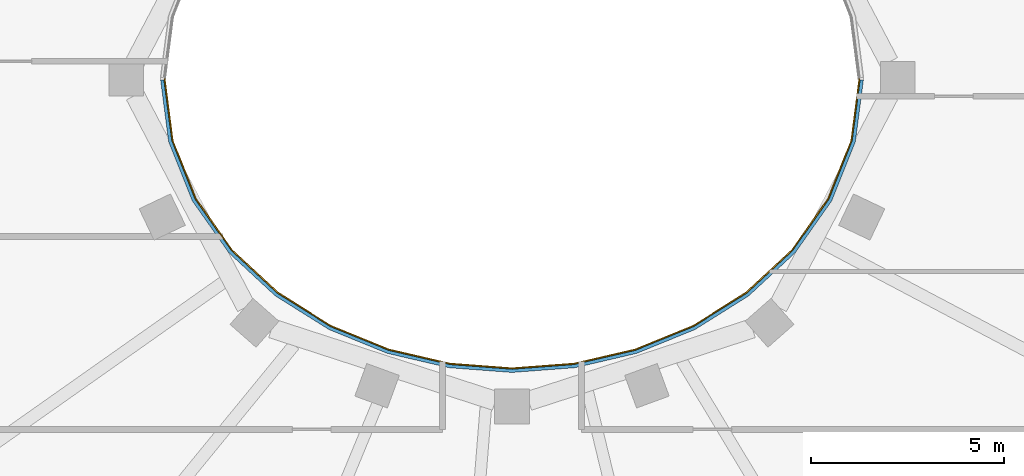
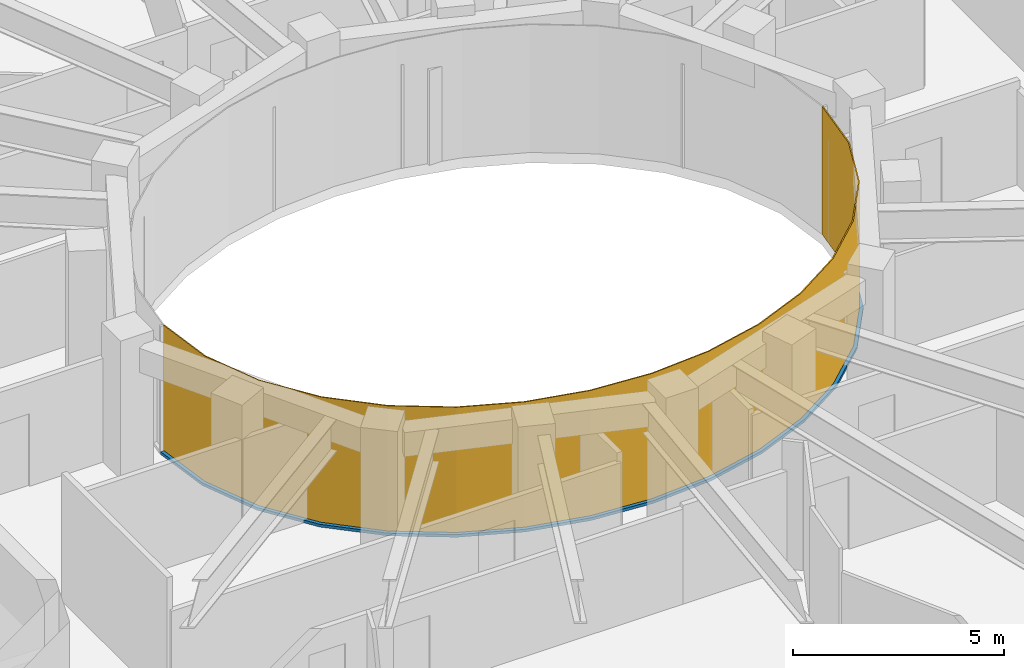
# One storey, part 9 of 16: 1 curtain wall, 1 member.
"""IFC4 building model written with IfcOpenShell, lengths in metres."""

from ifc_helpers import new_model, si_unit, direction, frame, origin, place, context, subcontext, project, spatial, polyline, outline, extrude, material, layer, layer_set, type_object, element, aggregate, save


model = new_model("IFC4")

# Units and contexts
model_context = context("Model", 3, precision=1e-05, world=origin(), true_north=direction((0.0, 1.0)))
body_context = subcontext(model_context, "Body", "Model", "MODEL_VIEW")
ifc_project = project(units=[si_unit("LENGTHUNIT", "METRE"), si_unit("AREAUNIT", "SQUARE_METRE"), si_unit("VOLUMEUNIT", "CUBIC_METRE"), si_unit("PLANEANGLEUNIT", "RADIAN"), si_unit("MASSUNIT", "GRAM", prefix="KILO")], contexts=[model_context])

# Member
ifc_material_1 = material(Name="Steel S355 fire-resisting frame", Category="steel")
member_type = type_object("IfcMemberType", Name="ENV-TRANSOM-W", PredefinedType="USERDEFINED", material=ifc_material_1)
site_placement = place(None, origin())
building_placement = place(site_placement, origin())
storey_placement = place(building_placement, frame((0.0, 0.0, 299.0)))
member_placement = place(storey_placement, origin())
member = element("IfcMember", 1, at=member_placement, type_object=member_type, Name="Transom W well 17-01", ObjectType="TRANSOM", PredefinedType="USERDEFINED", context=body_context, shape_type="SweptSolid", body=[
    extrude(outline(polyline([(-9.119384765625, -0.02783203125), (-8.910400390625, -1.63623046875), (-8.29833984375, -3.167236328125), (-7.35107421875, -4.5146484375), (-6.1455078125, -5.6337890625), (-4.75341796875, -6.50634765625), (-3.233642578125, -7.127685546875), (-1.635498046875, -7.498779296875), (0.0, -7.622314453125), (1.635498046875, -7.498779296875), (3.233642578125, -7.127685546875), (4.75341796875, -6.50634765625), (6.1455078125, -5.6337890625), (7.35107421875, -4.5146484375), (8.29833984375, -3.167236328125), (8.910400390625, -1.63623046875), (9.119384765625, -0.02783203125), (9.02880859375, -0.02783203125), (8.822509765625, -1.61328125), (8.21875, -3.124267578125), (7.282958984375, -4.455078125), (6.090576171875, -5.56201171875), (4.712158203125, -6.426025390625), (3.206298828125, -7.04150390625), (1.621826171875, -7.40966796875), (0.0, -7.531982421875), (-1.621826171875, -7.40966796875), (-3.206298828125, -7.04150390625), (-4.712158203125, -6.426025390625), (-6.090576171875, -5.56201171875), (-7.282958984375, -4.455078125), (-8.21875, -3.124267578125), (-8.822509765625, -1.61328125), (-9.02880859375, -0.02783203125), (-9.119384765625, -0.02783203125)])), origin(), (0.0, 0.0, 1.0), 0.080078125),
])

# Site, building, storey
site = spatial("IfcSite", under=ifc_project, at=site_placement, CompositionType="ELEMENT")
building = spatial("IfcBuilding", under=site, at=building_placement, Name="Noorbagh Ring Tower", CompositionType="ELEMENT")
storey = spatial("IfcBuildingStorey", under=building, at=storey_placement, Name="L64", CompositionType="ELEMENT", Elevation=299.0)

# Curtain wall
ifc_material_2 = material(Name="Glass fire-resisting E60 laminated", Category="glass")
ifc_layer = layer(ifc_material_2, 0.031982421875)
ifc_layer_set = layer_set([ifc_layer], Name="Glass fire-resisting E60 laminated")
curtain_wall_type = type_object("IfcCurtainWallType", Name="ENV-CW-W", PredefinedType="NOTDEFINED", material=ifc_layer_set)
curtain_wall_placement = place(storey_placement, origin())
curtain_wall = element("IfcCurtainWall", 2, at=curtain_wall_placement, inside=storey, type_object=curtain_wall_type, Name="Curtain wall W W17", PredefinedType="NOTDEFINED", context=body_context, shape_type="SweptSolid", body=[
    extrude(outline(polyline([(-9.0322265625, 0.0), (-8.822509765625, -1.61328125), (-8.21875, -3.124267578125), (-7.282958984375, -4.455078125), (-6.090576171875, -5.56201171875), (-4.712158203125, -6.426025390625), (-3.206298828125, -7.04150390625), (-1.621826171875, -7.40966796875), (0.0, -7.531982421875), (1.621826171875, -7.40966796875), (3.206298828125, -7.04150390625), (4.712158203125, -6.426025390625), (6.090576171875, -5.56201171875), (7.282958984375, -4.455078125), (8.21875, -3.124267578125), (8.822509765625, -1.61328125), (9.0322265625, 0.0), (9.0, 0.0), (8.79150390625, -1.605224609375), (8.1904296875, -3.10888671875), (7.2587890625, -4.43408203125), (6.071044921875, -5.53662109375), (4.697509765625, -6.3974609375), (3.196533203125, -7.010986328125), (1.6171875, -7.3779296875), (0.0, -7.5), (-1.6171875, -7.3779296875), (-3.196533203125, -7.010986328125), (-4.697509765625, -6.3974609375), (-6.071044921875, -5.53662109375), (-7.2587890625, -4.43408203125), (-8.1904296875, -3.10888671875), (-8.79150390625, -1.605224609375), (-9.0, 0.0), (-9.0322265625, 0.0)])), origin(), (0.0, 0.0, 1.0), 3.699951171875),
])

aggregate(curtain_wall, [member])

save(model, "model.ifc")
